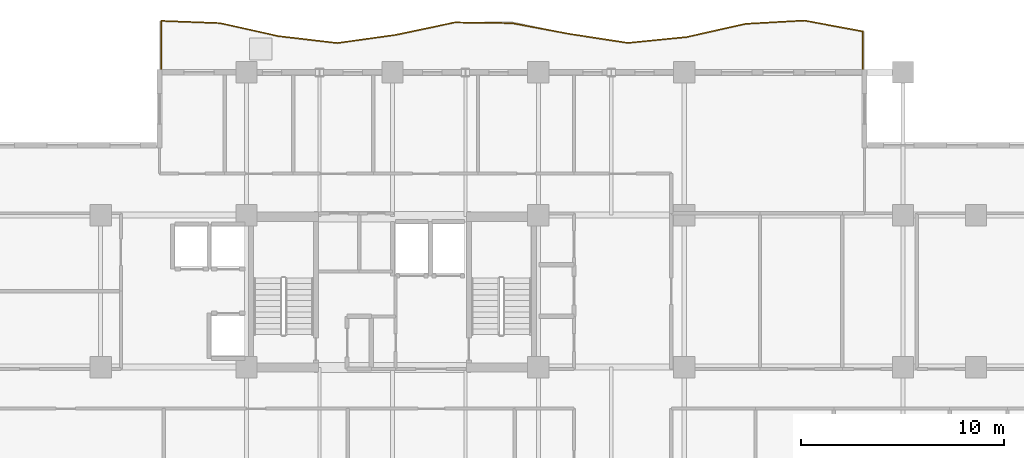
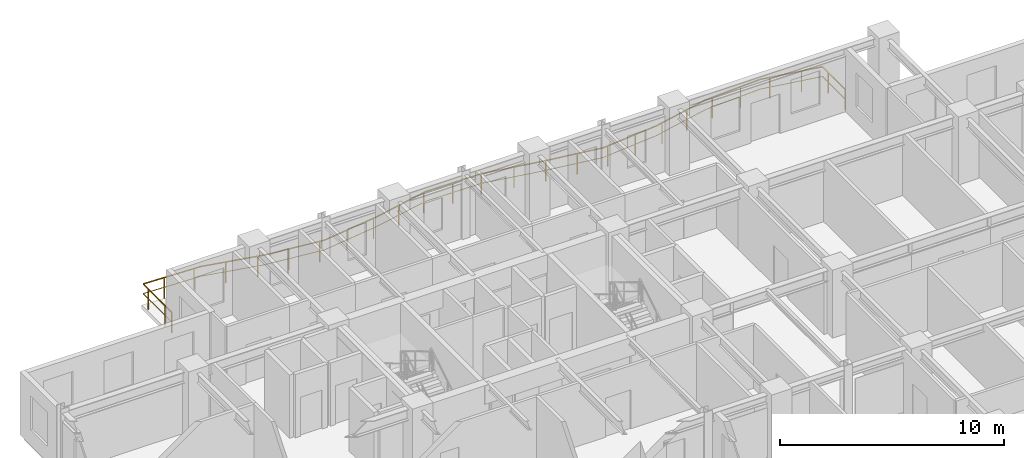
# One storey, part 13 of 13: 1 railing.
"""IFC4 building model written with IfcOpenShell, lengths in metres."""

from ifc_helpers import new_model, si_unit, direction, frame, origin, origin_2d, place, context, subcontext, project, spatial, rectangle, extrude, material, type_object, element, save


model = new_model("IFC4")

# Units and contexts
model_context = context("Model", 3, precision=1e-05, world=origin(), true_north=direction((0.0, 1.0)))
body_context = subcontext(model_context, "Body", "Model", "MODEL_VIEW")
ifc_project = project(units=[si_unit("LENGTHUNIT", "METRE"), si_unit("AREAUNIT", "SQUARE_METRE"), si_unit("VOLUMEUNIT", "CUBIC_METRE"), si_unit("PLANEANGLEUNIT", "RADIAN"), si_unit("MASSUNIT", "GRAM", prefix="KILO")], contexts=[model_context])

# Site, building, storey
site_placement = place(None, origin())
site = spatial("IfcSite", under=ifc_project, at=site_placement, CompositionType="ELEMENT")
building_placement = place(site_placement, origin())
building = spatial("IfcBuilding", under=site, at=building_placement, Name="Kaliganga Portal Commons", CompositionType="ELEMENT")
storey_placement = place(building_placement, frame((0.0, 0.0, 166.10009765625)))
storey = spatial("IfcBuildingStorey", under=building, at=storey_placement, Name="L42", CompositionType="ELEMENT", Elevation=166.10009765625)

# Railing
ifc_material = material(Name="Laminated Safety Glass and Stainless Steel 316", Category="steel")
railing_type = type_object("IfcRailingType", Name="RLG-BAL-1150", PredefinedType="BALUSTRADE", material=ifc_material)
railing_placement = place(storey_placement, frame((44.8203125, 43.208251953125, 0.0)))
element("IfcRailing", 1, at=railing_placement, inside=storey, type_object=railing_type, Name="Balcony Guardrail L42 balc_north", PredefinedType="BALUSTRADE", context=body_context, shape_type="SweptSolid", body=[
    extrude(rectangle(XDim=0.048095703125, YDim=0.048095703125, at=origin_2d()), frame((0.0, 0.0, 1.1259765625), z_axis=(-0.000121329773, 0.99999999264, 0.0), x_axis=(-0.99999999264, -0.000121329773, 0.0)), (0.0, 0.0, 1.0), 2.01220703125),
    extrude(rectangle(XDim=0.028076171875, YDim=0.028076171875, at=origin_2d()), frame((0.0, 0.0, 0.597900390625), z_axis=(-0.000121329773, 0.99999999264, 0.0), x_axis=(-0.99999999264, -0.000121329773, 0.0)), (0.0, 0.0, 1.0), 2.01220703125),
    extrude(rectangle(XDim=0.048095703125, YDim=0.048095703125, at=origin_2d()), frame((-0.000244140625, 2.01220703125, 1.1259765625), z_axis=(-0.983157729615, 0.182759072823, 0.0), x_axis=(-0.182759072823, -0.983157729615, 0.0)), (0.0, 0.0, 1.0), 2.949462890625),
    extrude(rectangle(XDim=0.028076171875, YDim=0.028076171875, at=origin_2d()), frame((-0.000244140625, 2.01220703125, 0.597900390625), z_axis=(-0.983157729615, 0.182759072823, 0.0), x_axis=(-0.182759072823, -0.983157729615, 0.0)), (0.0, 0.0, 1.0), 2.949462890625),
    extrude(rectangle(XDim=0.048095703125, YDim=0.048095703125, at=origin_2d()), frame((-2.900146484375, 2.55126953125, 1.1259765625), z_axis=(-0.998403724178, -0.056480116394, 0.0), x_axis=(0.056480116394, -0.998403724178, 0.0)), (0.0, 0.0, 1.0), 2.90478515625),
    extrude(rectangle(XDim=0.028076171875, YDim=0.028076171875, at=origin_2d()), frame((-2.900146484375, 2.55126953125, 0.597900390625), z_axis=(-0.998403724178, -0.056480116394, 0.0), x_axis=(0.056480116394, -0.998403724178, 0.0)), (0.0, 0.0, 1.0), 2.90478515625),
    extrude(rectangle(XDim=0.048095703125, YDim=0.048095703125, at=origin_2d()), frame((-5.80029296875, 2.38720703125, 1.1259765625), z_axis=(-0.975637013944, -0.219391013996, 0.0), x_axis=(0.219391013996, -0.975637013944, 0.0)), (0.0, 0.0, 1.0), 2.972412109375),
    extrude(rectangle(XDim=0.028076171875, YDim=0.028076171875, at=origin_2d()), frame((-5.80029296875, 2.38720703125, 0.597900390625), z_axis=(-0.975637013944, -0.219391013996, 0.0), x_axis=(0.219391013996, -0.975637013944, 0.0)), (0.0, 0.0, 1.0), 2.972412109375),
    extrude(rectangle(XDim=0.048095703125, YDim=0.048095703125, at=origin_2d()), frame((-8.7001953125, 1.735107421875, 1.1259765625), z_axis=(-0.995060387415, -0.099271473235, 0.0), x_axis=(0.099271473235, -0.995060387415, 0.0)), (0.0, 0.0, 1.0), 2.914306640625),
    extrude(rectangle(XDim=0.028076171875, YDim=0.028076171875, at=origin_2d()), frame((-8.7001953125, 1.735107421875, 0.597900390625), z_axis=(-0.995060387415, -0.099271473235, 0.0), x_axis=(0.099271473235, -0.995060387415, 0.0)), (0.0, 0.0, 1.0), 2.914306640625),
    extrude(rectangle(XDim=0.048095703125, YDim=0.048095703125, at=origin_2d()), frame((-11.60009765625, 1.44580078125, 1.1259765625), z_axis=(-0.988453321945, 0.1515256755, 0.0), x_axis=(-0.1515256755, -0.988453321945, 0.0)), (0.0, 0.0, 1.0), 2.93408203125),
    extrude(rectangle(XDim=0.028076171875, YDim=0.028076171875, at=origin_2d()), frame((-11.60009765625, 1.44580078125, 0.597900390625), z_axis=(-0.988453321945, 0.1515256755, 0.0), x_axis=(-0.1515256755, -0.988453321945, 0.0)), (0.0, 0.0, 1.0), 2.93408203125),
    extrude(rectangle(XDim=0.048095703125, YDim=0.048095703125, at=origin_2d()), frame((-14.500244140625, 1.890380859375, 1.1259765625), z_axis=(-0.982714840697, 0.185125746113, 0.0), x_axis=(-0.185125746113, -0.982714840697, 0.0)), (0.0, 0.0, 1.0), 2.86962890625),
    extrude(rectangle(XDim=0.028076171875, YDim=0.028076171875, at=origin_2d()), frame((-14.500244140625, 1.890380859375, 0.597900390625), z_axis=(-0.982714840697, 0.185125746113, 0.0), x_axis=(-0.185125746113, -0.982714840697, 0.0)), (0.0, 0.0, 1.0), 2.86962890625),
    extrude(rectangle(XDim=0.048095703125, YDim=0.048095703125, at=origin_2d()), frame((-17.3203125, 2.421630859375, 1.1259765625), z_axis=(-0.999925609198, 0.012197379609, 0.0), x_axis=(-0.012197379609, -0.999925609198, 0.0)), (0.0, 0.0, 1.0), 2.822265625),
    extrude(rectangle(XDim=0.028076171875, YDim=0.028076171875, at=origin_2d()), frame((-17.3203125, 2.421630859375, 0.597900390625), z_axis=(-0.999925609198, 0.012197379609, 0.0), x_axis=(-0.012197379609, -0.999925609198, 0.0)), (0.0, 0.0, 1.0), 2.822265625),
    extrude(rectangle(XDim=0.048095703125, YDim=0.048095703125, at=origin_2d()), frame((-20.142333984375, 2.4560546875, 1.1259765625), z_axis=(-0.978515660112, -0.206172507661, 0.0), x_axis=(0.206172507661, -0.978515660112, 0.0)), (0.0, 0.0, 1.0), 2.961669921875),
    extrude(rectangle(XDim=0.028076171875, YDim=0.028076171875, at=origin_2d()), frame((-20.142333984375, 2.4560546875, 0.597900390625), z_axis=(-0.978515660112, -0.206172507661, 0.0), x_axis=(0.206172507661, -0.978515660112, 0.0)), (0.0, 0.0, 1.0), 2.961669921875),
    extrude(rectangle(XDim=0.048095703125, YDim=0.048095703125, at=origin_2d()), frame((-23.040283203125, 1.845458984375, 1.1259765625), z_axis=(-0.990330983338, -0.138724703786, 0.0), x_axis=(0.138724703786, -0.990330983338, 0.0)), (0.0, 0.0, 1.0), 2.928466796875),
    extrude(rectangle(XDim=0.028076171875, YDim=0.028076171875, at=origin_2d()), frame((-23.040283203125, 1.845458984375, 0.597900390625), z_axis=(-0.990330983338, -0.138724703786, 0.0), x_axis=(0.138724703786, -0.990330983338, 0.0)), (0.0, 0.0, 1.0), 2.928466796875),
    extrude(rectangle(XDim=0.048095703125, YDim=0.048095703125, at=origin_2d()), frame((-25.9404296875, 1.439208984375, 1.1259765625), z_axis=(-0.993241626845, 0.116064941746, 0.0), x_axis=(-0.116064941746, -0.993241626845, 0.0)), (0.0, 0.0, 1.0), 2.919677734375),
    extrude(rectangle(XDim=0.028076171875, YDim=0.028076171875, at=origin_2d()), frame((-25.9404296875, 1.439208984375, 0.597900390625), z_axis=(-0.993241626845, 0.116064941746, 0.0), x_axis=(-0.116064941746, -0.993241626845, 0.0)), (0.0, 0.0, 1.0), 2.919677734375),
    extrude(rectangle(XDim=0.048095703125, YDim=0.048095703125, at=origin_2d()), frame((-28.84033203125, 1.778076171875, 1.1259765625), z_axis=(-0.97614837442, 0.217104470513, 0.0), x_axis=(-0.217104470513, -0.97614837442, 0.0)), (0.0, 0.0, 1.0), 2.970947265625),
    extrude(rectangle(XDim=0.028076171875, YDim=0.028076171875, at=origin_2d()), frame((-28.84033203125, 1.778076171875, 0.597900390625), z_axis=(-0.97614837442, 0.217104470513, 0.0), x_axis=(-0.217104470513, -0.97614837442, 0.0)), (0.0, 0.0, 1.0), 2.970947265625),
    extrude(rectangle(XDim=0.048095703125, YDim=0.048095703125, at=origin_2d()), frame((-31.740478515625, 2.423095703125, 1.1259765625), z_axis=(-0.999279942508, 0.037942014992, 0.0), x_axis=(-0.037942014992, -0.999279942508, 0.0)), (0.0, 0.0, 1.0), 2.902099609375),
    extrude(rectangle(XDim=0.028076171875, YDim=0.028076171875, at=origin_2d()), frame((-31.740478515625, 2.423095703125, 0.597900390625), z_axis=(-0.999279942508, 0.037942014992, 0.0), x_axis=(-0.037942014992, -0.999279942508, 0.0)), (0.0, 0.0, 1.0), 2.902099609375),
    extrude(rectangle(XDim=0.048095703125, YDim=0.048095703125, at=origin_2d()), frame((-34.640380859375, 2.533203125, 1.1259765625), z_axis=(-9.6376252e-05, -0.999999995356, 0.0), x_axis=(0.999999995356, -9.6376252e-05, 0.0)), (0.0, 0.0, 1.0), 2.533203125),
    extrude(rectangle(XDim=0.028076171875, YDim=0.028076171875, at=origin_2d()), frame((-34.640380859375, 2.533203125, 0.597900390625), z_axis=(-9.6376252e-05, -0.999999995356, 0.0), x_axis=(0.999999995356, -9.6376252e-05, 0.0)), (0.0, 0.0, 1.0), 2.533203125),
    extrude(rectangle(XDim=0.0419921875, YDim=0.0419921875, at=origin_2d()), origin(), (0.0, 0.0, 1.0), 1.101806640625),
    extrude(rectangle(XDim=0.0419921875, YDim=0.0419921875, at=origin_2d()), frame((-0.000244140625, 1.5, 0.0)), (0.0, 0.0, 1.0), 1.101806640625),
    extrude(rectangle(XDim=0.0419921875, YDim=0.0419921875, at=origin_2d()), frame((-0.971435546875, 2.192626953125, 0.0)), (0.0, 0.0, 1.0), 1.101806640625),
    extrude(rectangle(XDim=0.0419921875, YDim=0.0419921875, at=origin_2d()), frame((-2.446044921875, 2.466796875, 0.0)), (0.0, 0.0, 1.0), 1.101806640625),
    extrude(rectangle(XDim=0.0419921875, YDim=0.0419921875, at=origin_2d()), frame((-3.936767578125, 2.49267578125, 0.0)), (0.0, 0.0, 1.0), 1.101806640625),
    extrude(rectangle(XDim=0.0419921875, YDim=0.0419921875, at=origin_2d()), frame((-5.434326171875, 2.407958984375, 0.0)), (0.0, 0.0, 1.0), 1.101806640625),
    extrude(rectangle(XDim=0.0419921875, YDim=0.0419921875, at=origin_2d()), frame((-6.906005859375, 2.138427734375, 0.0)), (0.0, 0.0, 1.0), 1.101806640625),
    extrude(rectangle(XDim=0.0419921875, YDim=0.0419921875, at=origin_2d()), frame((-8.36962890625, 1.8095703125, 0.0)), (0.0, 0.0, 1.0), 1.101806640625),
    extrude(rectangle(XDim=0.0419921875, YDim=0.0419921875, at=origin_2d()), frame((-9.85546875, 1.619873046875, 0.0)), (0.0, 0.0, 1.0), 1.101806640625),
    extrude(rectangle(XDim=0.0419921875, YDim=0.0419921875, at=origin_2d()), frame((-11.34814453125, 1.470947265625, 0.0)), (0.0, 0.0, 1.0), 1.101806640625),
    extrude(rectangle(XDim=0.0419921875, YDim=0.0419921875, at=origin_2d()), frame((-12.83251953125, 1.634765625, 0.0)), (0.0, 0.0, 1.0), 1.101806640625),
    extrude(rectangle(XDim=0.0419921875, YDim=0.0419921875, at=origin_2d()), frame((-14.315185546875, 1.862060546875, 0.0)), (0.0, 0.0, 1.0), 1.101806640625),
    extrude(rectangle(XDim=0.0419921875, YDim=0.0419921875, at=origin_2d()), frame((-15.790283203125, 2.13330078125, 0.0)), (0.0, 0.0, 1.0), 1.101806640625),
    extrude(rectangle(XDim=0.0419921875, YDim=0.0419921875, at=origin_2d()), frame((-17.3203125, 2.421630859375, 0.0)), (0.0, 0.0, 1.0), 1.101806640625),
    extrude(rectangle(XDim=0.0419921875, YDim=0.0419921875, at=origin_2d()), frame((-18.763427734375, 2.439208984375, 0.0)), (0.0, 0.0, 1.0), 1.101806640625),
    extrude(rectangle(XDim=0.0419921875, YDim=0.0419921875, at=origin_2d()), frame((-20.2607421875, 2.43115234375, 0.0)), (0.0, 0.0, 1.0), 1.101806640625),
    extrude(rectangle(XDim=0.0419921875, YDim=0.0419921875, at=origin_2d()), frame((-21.728515625, 2.121826171875, 0.0)), (0.0, 0.0, 1.0), 1.101806640625),
    extrude(rectangle(XDim=0.0419921875, YDim=0.0419921875, at=origin_2d()), frame((-23.197998046875, 1.8232421875, 0.0)), (0.0, 0.0, 1.0), 1.101806640625),
    extrude(rectangle(XDim=0.0419921875, YDim=0.0419921875, at=origin_2d()), frame((-24.68359375, 1.615234375, 0.0)), (0.0, 0.0, 1.0), 1.101806640625),
    extrude(rectangle(XDim=0.0419921875, YDim=0.0419921875, at=origin_2d()), frame((-26.169677734375, 1.466064453125, 0.0)), (0.0, 0.0, 1.0), 1.101806640625),
    extrude(rectangle(XDim=0.0419921875, YDim=0.0419921875, at=origin_2d()), frame((-27.65966796875, 1.64013671875, 0.0)), (0.0, 0.0, 1.0), 1.101806640625),
    extrude(rectangle(XDim=0.0419921875, YDim=0.0419921875, at=origin_2d()), frame((-29.14404296875, 1.845703125, 0.0)), (0.0, 0.0, 1.0), 1.101806640625),
    extrude(rectangle(XDim=0.0419921875, YDim=0.0419921875, at=origin_2d()), frame((-30.6083984375, 2.17138671875, 0.0)), (0.0, 0.0, 1.0), 1.101806640625),
    extrude(rectangle(XDim=0.0419921875, YDim=0.0419921875, at=origin_2d()), frame((-32.080322265625, 2.43603515625, 0.0)), (0.0, 0.0, 1.0), 1.101806640625),
    extrude(rectangle(XDim=0.0419921875, YDim=0.0419921875, at=origin_2d()), frame((-33.579345703125, 2.492919921875, 0.0)), (0.0, 0.0, 1.0), 1.101806640625),
    extrude(rectangle(XDim=0.0419921875, YDim=0.0419921875, at=origin_2d()), frame((-34.640380859375, 2.094970703125, 0.0)), (0.0, 0.0, 1.0), 1.101806640625),
    extrude(rectangle(XDim=0.0419921875, YDim=0.0419921875, at=origin_2d()), frame((-34.640625, 0.594970703125, 0.0)), (0.0, 0.0, 1.0), 1.101806640625),
    extrude(rectangle(XDim=0.0419921875, YDim=0.0419921875, at=origin_2d()), frame((-34.640625, 0.0, 0.0)), (0.0, 0.0, 1.0), 1.101806640625),
])

save(model, "model.ifc")
